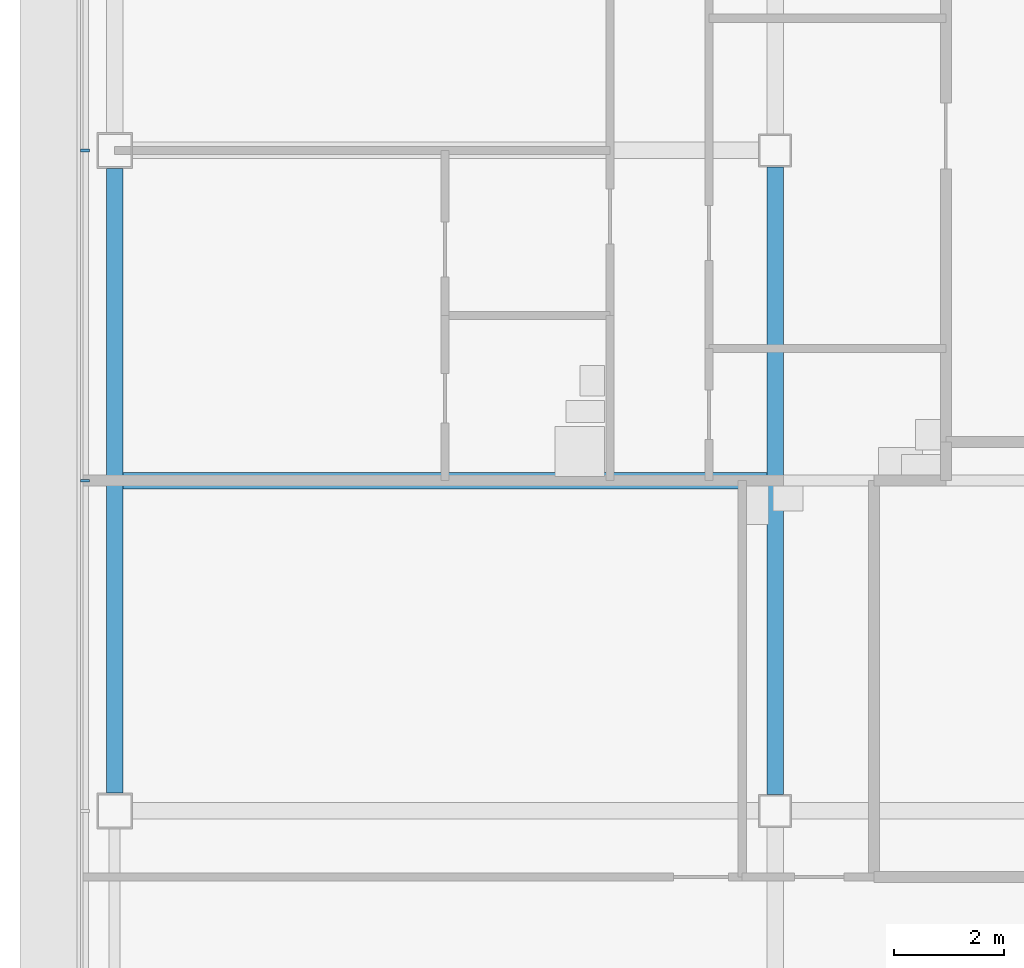
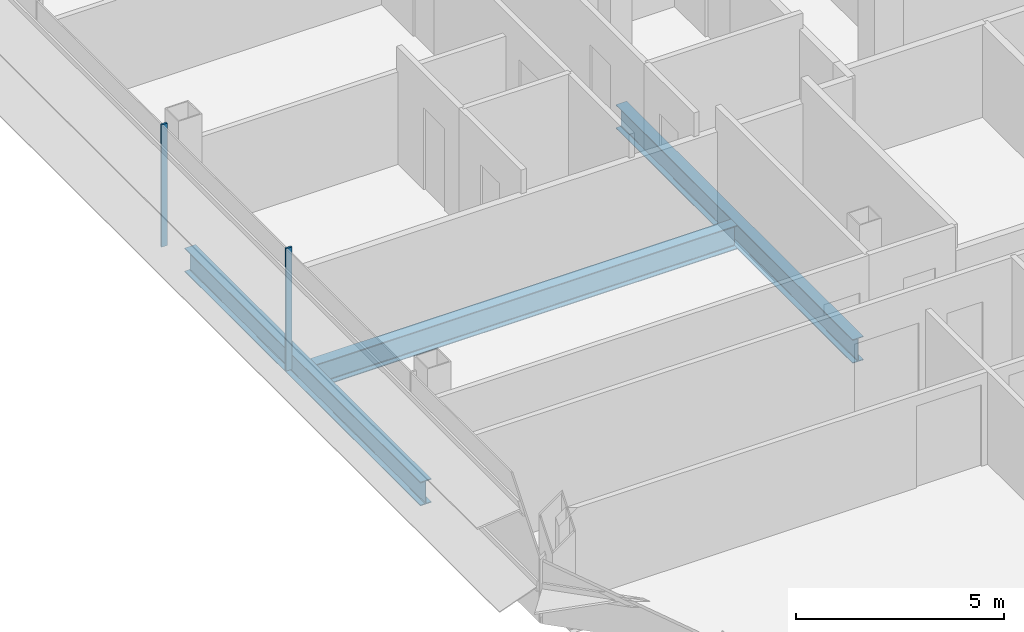
# One storey, part 4 of 26: 3 beams, 2 members, 1 element without a shape of its own.
"""IFC4 building model written with IfcOpenShell, lengths in metres."""

from ifc_helpers import new_model, si_unit, direction, frame, origin, origin_2d, place, context, subcontext, project, spatial, rectangle, i_section, extrude, material, material_profile, profile_set, type_object, element, aggregate, save


model = new_model("IFC4")

# Units and contexts
model_context = context("Model", 3, precision=1e-05, world=origin(), true_north=direction((0.0, 1.0)))
body_context = subcontext(model_context, "Body", "Model", "MODEL_VIEW")
ifc_project = project(units=[si_unit("LENGTHUNIT", "METRE"), si_unit("AREAUNIT", "SQUARE_METRE"), si_unit("VOLUMEUNIT", "CUBIC_METRE"), si_unit("PLANEANGLEUNIT", "RADIAN"), si_unit("MASSUNIT", "GRAM", prefix="KILO")], contexts=[model_context])

# Site, building, storey
site_placement = place(None, origin())
site = spatial("IfcSite", under=ifc_project, at=site_placement, CompositionType="ELEMENT")
building_placement = place(site_placement, origin())
building = spatial("IfcBuilding", under=site, at=building_placement, Name="Sorahane Residences", CompositionType="ELEMENT")
storey_placement = place(building_placement, frame((0.0, 0.0, 219.0)))
storey = spatial("IfcBuildingStorey", under=building, at=storey_placement, Name="L51", CompositionType="ELEMENT", Elevation=219.0)

# Curtain wall, members
ifc_material_1 = material(Name="Dark low-e glass and black anodised aluminium", Category="aluminium")
curtain_wall_type = type_object("IfcCurtainWallType", Name="Curtain wall CW-1 Typical unitised wall", PredefinedType="NOTDEFINED", material=ifc_material_1)
curtain_wall_placement = place(storey_placement, origin())
curtain_wall = element("IfcCurtainWall", 1, at=curtain_wall_placement, inside=storey, type_object=curtain_wall_type, Name="CW-1 curtain wall L51 W1", PredefinedType="NOTDEFINED")
ifc_material_2 = material(Name="Black anodised aluminium", Category="aluminium")
ifc_material_profile_1 = material_profile(ifc_material_2, rectangle(XDim=0.159912109375, YDim=0.050048828125, at=origin_2d()), Name="Curtain wall mullion CW-1 black anodised aluminium 50x160")
ifc_profile_set_1 = profile_set([ifc_material_profile_1], Name="Black anodised aluminium")
member_type = type_object("IfcMemberType", Name="Curtain wall mullion CW-1 black anodised aluminium 50x160", PredefinedType="MULLION", material=ifc_profile_set_1)
member_1_placement = place(storey_placement, frame((-12.5400390625, 24.0, -0.179931640625), z_axis=(0.0, 0.0, 1.0), x_axis=(-1.0, 0.0, 0.0)))
member_1 = element("IfcMember", 2, at=member_1_placement, type_object=member_type, Name="CW-1 mullion L51 W1.4", PredefinedType="MULLION", context=body_context, shape_type="SweptSolid", body=[
    extrude(rectangle(XDim=0.159912109375, YDim=0.050048828125, at=origin_2d()), origin(), (0.0, 0.0, 1.0), 3.599853515625),
])
member_2_placement = place(storey_placement, frame((-12.5400390625, 18.0, -0.179931640625), z_axis=(0.0, 0.0, 1.0), x_axis=(-1.0, 0.0, 0.0)))
member_2 = element("IfcMember", 3, at=member_2_placement, type_object=member_type, Name="CW-1 mullion L51 W1.5", PredefinedType="MULLION", context=body_context, shape_type="SweptSolid", body=[
    extrude(rectangle(XDim=0.159912109375, YDim=0.050048828125, at=origin_2d()), origin(), (0.0, 0.0, 1.0), 3.599853515625),
])
aggregate(curtain_wall, [member_1, member_2])

# Beams
ifc_material_3 = material(Name="Steel Q355B", Category="steel")
ifc_material_profile_2 = material_profile(ifc_material_3, i_section(OverallWidth=0.300048828125, OverallDepth=0.699951171875, WebThickness=0.012939453125, FlangeThickness=0.02392578125, FilletRadius=0.028076171875, at=origin_2d()), Name="HN 700x300x13x24")
ifc_profile_set_2 = profile_set([ifc_material_profile_2], Name="Steel Q355B")
beam_type = type_object("IfcBeamType", Name="Steel floor beam HN 700x300x13x24 Q355B", PredefinedType="BEAM", material=ifc_profile_set_2)
beam_1_placement = place(storey_placement, frame((-12.0, 12.324951171875, -0.530029296875), z_axis=(0.0, 1.0, 0.0), x_axis=(-1.0, 0.0, 0.0)))
element("IfcBeam", 4, at=beam_1_placement, inside=storey, type_object=beam_type, Name="Beam L51 021", PredefinedType="BEAM", context=body_context, shape_type="SweptSolid", body=[
    extrude(i_section(OverallWidth=0.300048828125, OverallDepth=0.699951171875, WebThickness=0.012939453125, FlangeThickness=0.02392578125, FilletRadius=0.028076171875, at=origin_2d()), origin(), (0.0, 0.0, 1.0), 11.35009765625),
])
beam_2_placement = place(storey_placement, frame((0.0, 12.300048828125, -0.530029296875), z_axis=(0.0, 1.0, 0.0), x_axis=(-1.0, 0.0, 0.0)))
element("IfcBeam", 5, at=beam_2_placement, inside=storey, type_object=beam_type, Name="Beam L51 025", PredefinedType="BEAM", context=body_context, shape_type="SweptSolid", body=[
    extrude(i_section(OverallWidth=0.300048828125, OverallDepth=0.699951171875, WebThickness=0.012939453125, FlangeThickness=0.02392578125, FilletRadius=0.028076171875, at=origin_2d()), origin(), (0.0, 0.0, 1.0), 11.39990234375),
])
beam_3_placement = place(storey_placement, frame((-11.85009765625, 18.0, -0.530029296875), z_axis=(1.0, 0.0, 0.0), x_axis=(0.0, 1.0, 0.0)))
element("IfcBeam", 6, at=beam_3_placement, inside=storey, type_object=beam_type, Name="Beam L51 078", PredefinedType="BEAM", context=body_context, shape_type="SweptSolid", body=[
    extrude(i_section(OverallWidth=0.300048828125, OverallDepth=0.699951171875, WebThickness=0.012939453125, FlangeThickness=0.02392578125, FilletRadius=0.028076171875, at=origin_2d()), origin(), (0.0, 0.0, 1.0), 11.7001953125),
])

save(model, "model.ifc")
